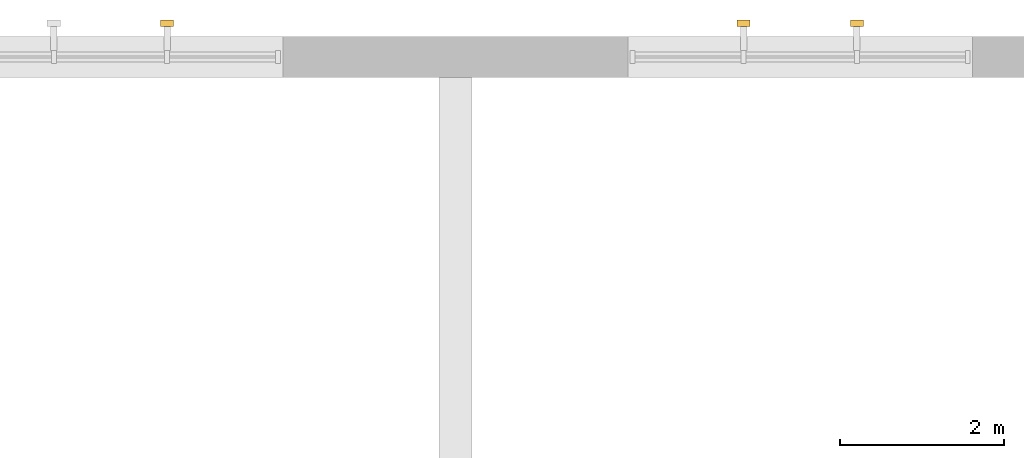
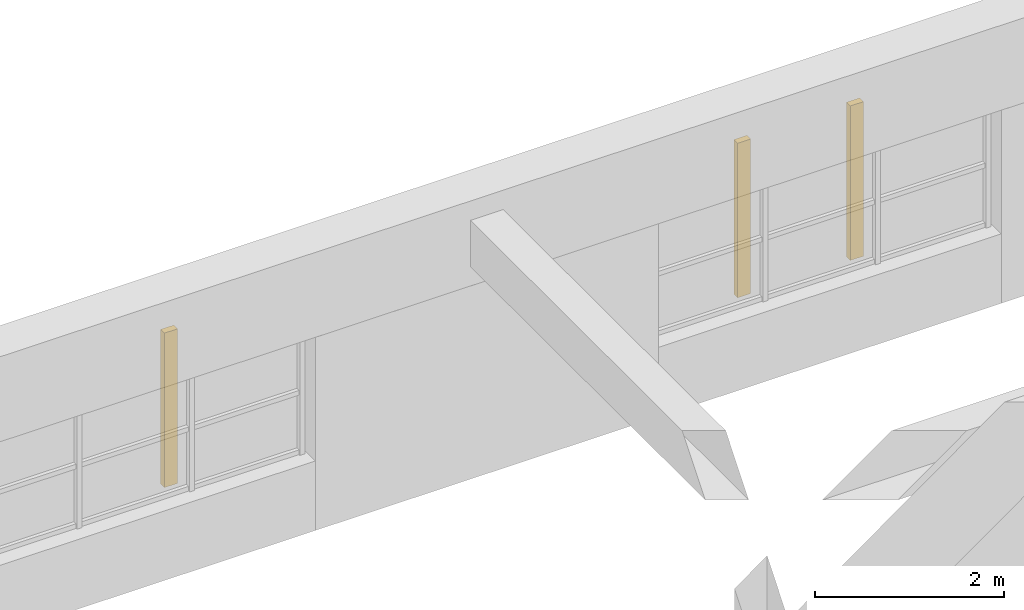
# One storey, part 28 of 28: 3 shading devices.
"""IFC4 building model written with IfcOpenShell, lengths in metres."""

from ifc_helpers import new_model, si_unit, direction, frame, origin, origin_2d, place, context, subcontext, project, spatial, rectangle, extrude, material, type_object, element, save


model = new_model("IFC4")

# Units and contexts
model_context = context("Model", 3, precision=1e-05, world=origin(), true_north=direction((0.0, 1.0)))
body_context = subcontext(model_context, "Body", "Model", "MODEL_VIEW")
ifc_project = project(units=[si_unit("LENGTHUNIT", "METRE"), si_unit("AREAUNIT", "SQUARE_METRE"), si_unit("VOLUMEUNIT", "CUBIC_METRE"), si_unit("PLANEANGLEUNIT", "RADIAN"), si_unit("MASSUNIT", "GRAM", prefix="KILO")], contexts=[model_context])

# Site, building, storey
site_placement = place(None, origin())
site = spatial("IfcSite", under=ifc_project, at=site_placement, CompositionType="ELEMENT")
building_placement = place(site_placement, origin())
building = spatial("IfcBuilding", under=site, at=building_placement, Name="Ljudholm Concert House", CompositionType="ELEMENT")
storey_placement = place(building_placement, frame((0.0, 0.0, 19.199951171875)))
storey = spatial("IfcBuildingStorey", under=building, at=storey_placement, Name="L04", CompositionType="ELEMENT", Elevation=19.199951171875)

# Shading devices
ifc_material = material(Name="Aluminium extrusion with timber-grain PVDF finish", Category="aluminium")
shading_device_type = type_object("IfcShadingDeviceType", Name="FACADE FIN 80x160", PredefinedType="SHUTTER", material=ifc_material)
for number, where, z_axis, x_axis, name in (
    (1, (76.090087890625, 96.81005859375, 0.699951171875), (0.0, 0.0, 1.0), (0.0, 1.0, 0.0), "Facade fin"),
    (2, (83.110107421875, 96.81005859375, 0.699951171875), (0.0, 0.0, 1.0), (0.0, 1.0, 0.0), "Facade fin"),
    (3, (84.489990234375, 96.81005859375, 0.699951171875), (0.0, 0.0, 1.0), (0.0, 1.0, 0.0), "Facade fin"),
):
    element("IfcShadingDevice", number, at=place(storey_placement, frame(where, z_axis=z_axis, x_axis=x_axis)), inside=storey, type_object=shading_device_type, Name=name, PredefinedType="SHUTTER", context=body_context, shape_type="SweptSolid", body=[
        extrude(rectangle(XDim=0.080078125, YDim=0.159912109375, at=origin_2d()), origin(), (0.0, 0.0, 1.0), 2.0),
    ])

save(model, "model.ifc")
